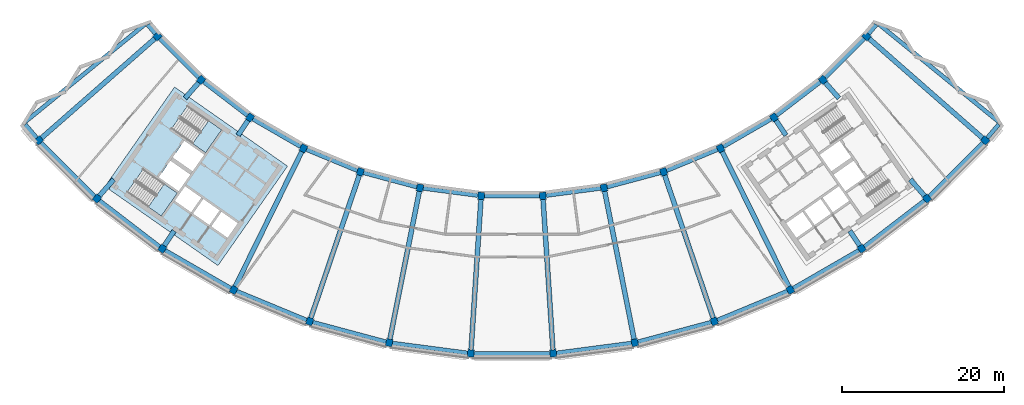
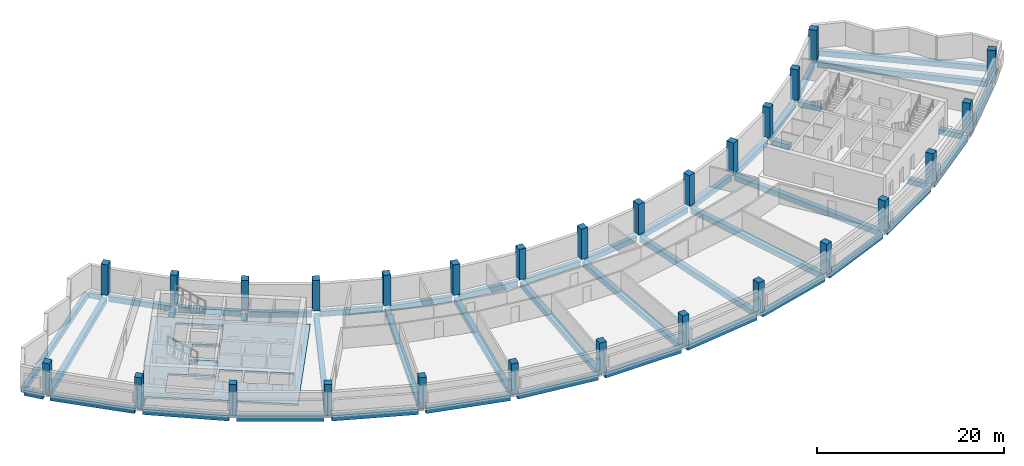
# One storey, part 1 of 12: 50 beams, 28 columns, 3 slabs, 2 elements without a shape of their own.
"""IFC4 building model written with IfcOpenShell, lengths in metres."""

from ifc_helpers import new_model, si_unit, direction, frame, origin, origin_2d, place, context, subcontext, project, spatial, polyline, rectangle, outline, extrude, material, layer, layer_set, material_profile, profile_set, type_object, element, aggregate, save


model = new_model("IFC4")

# Units and contexts
model_context = context("Model", 3, precision=1e-05, world=origin(), true_north=direction((0.0, 1.0)))
body_context = subcontext(model_context, "Body", "Model", "MODEL_VIEW")
ifc_project = project(units=[si_unit("LENGTHUNIT", "METRE"), si_unit("AREAUNIT", "SQUARE_METRE"), si_unit("VOLUMEUNIT", "CUBIC_METRE"), si_unit("PLANEANGLEUNIT", "RADIAN"), si_unit("MASSUNIT", "GRAM", prefix="KILO")], contexts=[model_context])

# Site, building, storey
site_placement = place(None, origin())
site = spatial("IfcSite", under=ifc_project, at=site_placement, CompositionType="ELEMENT")
building_placement = place(site_placement, origin())
building = spatial("IfcBuilding", under=site, at=building_placement, Name="Qamariyya Broadcast Tower", CompositionType="ELEMENT")
storey_placement = place(building_placement, frame((0.0, 0.0, 290.699951171875)))
storey = spatial("IfcBuildingStorey", under=building, at=storey_placement, Name="L70", CompositionType="ELEMENT", Elevation=290.699951171875)

# Columns
ifc_material_1 = material(Name="Concrete C50/60", Category="concrete")
ifc_material_profile_1 = material_profile(ifc_material_1, rectangle(XDim=0.800048828125, YDim=0.89990234375, at=origin_2d()))
ifc_profile_set_1 = profile_set([ifc_material_profile_1], Name="Concrete C50/60")
column_type = type_object("IfcColumnType", Name="RC column 800 x 900 C50/60", PredefinedType="COLUMN", material=ifc_profile_set_1)
for number, where, z_axis, x_axis, name in (
    (1, (-43.794677734375, -38.406982421875, 0.0), (0.0, 0.0, 1.0), (0.6593458151, -0.751839807479, 0.0), "Column C13 L70 B-R04"),
    (2, (-58.45556640625, -51.26416015625, 0.0), (0.0, 0.0, 1.0), (0.6593458151, -0.751839807479, 0.0), "Column C13 L70 C-R04"),
    (3, (-38.406982421875, -43.794677734375, 0.0), (0.0, 0.0, 1.0), (0.751839807479, -0.6593458151, 0.0), "Column C13 L70 B-R05"),
    (4, (-51.26416015625, -58.45556640625, 0.0), (0.0, 0.0, 1.0), (0.751839807479, -0.6593458151, 0.0), "Column C13 L70 C-R05"),
    (5, (-32.362060546875, -48.43310546875, 0.0), (0.0, 0.0, 1.0), (0.831469612303, -0.55557023302, 0.0), "Column C13 L70 B-R06"),
    (6, (-43.195556640625, -64.646728515625, 0.0), (0.0, 0.0, 1.0), (0.831469612303, -0.55557023302, 0.0), "Column C13 L70 C-R06"),
    (7, (-25.763427734375, -52.242919921875, 0.0), (0.0, 0.0, 1.0), (0.896872741533, -0.442288690219, 0.0), "Column C13 L70 B-R07"),
    (8, (-34.387939453125, -69.73193359375, 0.0), (0.0, 0.0, 1.0), (0.896872741533, -0.442288690219, 0.0), "Column C13 L70 C-R07"),
    (9, (-18.723876953125, -55.15869140625, 0.0), (0.0, 0.0, 1.0), (0.946930129495, -0.321439465303, 0.0), "Column C13 L70 B-R08"),
    (10, (-24.991943359375, -73.623779296875, 0.0), (0.0, 0.0, 1.0), (0.946930129495, -0.321439465303, 0.0), "Column C13 L70 C-R08"),
    (11, (-11.364013671875, -57.130859375, 0.0), (0.0, 0.0, 1.0), (0.980785280403, -0.195090322016, 0.0), "Column C13 L70 B-R09"),
    (12, (-15.168212890625, -76.256103515625, 0.0), (0.0, 0.0, 1.0), (0.980785280403, -0.195090322016, 0.0), "Column C13 L70 C-R09"),
    (13, (-3.809814453125, -58.125244140625, 0.0), (0.0, 0.0, 1.0), (0.997858923239, -0.06540312923, 0.0), "Column C13 L70 B-R10"),
    (14, (-5.085205078125, -77.58349609375, 0.0), (0.0, 0.0, 1.0), (0.997858923239, -0.06540312923, 0.0), "Column C13 L70 C-R10"),
    (15, (3.809814453125, -58.125244140625, 0.0), (0.0, 0.0, 1.0), (0.997858923239, 0.06540312923, 0.0), "Column C13 L70 B-R11"),
    (16, (5.085205078125, -77.58349609375, 0.0), (0.0, 0.0, 1.0), (0.997858923239, 0.06540312923, 0.0), "Column C13 L70 C-R11"),
    (17, (11.364013671875, -57.130859375, 0.0), (0.0, 0.0, 1.0), (0.980785280403, 0.195090322016, 0.0), "Column C13 L70 B-R12"),
    (18, (15.168212890625, -76.256103515625, 0.0), (0.0, 0.0, 1.0), (0.980785280403, 0.195090322016, 0.0), "Column C13 L70 C-R12"),
    (19, (18.723876953125, -55.15869140625, 0.0), (0.0, 0.0, 1.0), (0.946930129495, 0.321439465303, 0.0), "Column C13 L70 B-R13"),
    (20, (24.991943359375, -73.623779296875, 0.0), (0.0, 0.0, 1.0), (0.946930129495, 0.321439465303, 0.0), "Column C13 L70 C-R13"),
    (21, (25.763427734375, -52.242919921875, 0.0), (0.0, 0.0, 1.0), (0.896872741533, 0.442288690219, 0.0), "Column C13 L70 B-R14"),
    (22, (34.387939453125, -69.73193359375, 0.0), (0.0, 0.0, 1.0), (0.896872741533, 0.442288690219, 0.0), "Column C13 L70 C-R14"),
    (23, (32.362060546875, -48.43310546875, 0.0), (0.0, 0.0, 1.0), (0.831469612303, 0.55557023302, 0.0), "Column C13 L70 B-R15"),
    (24, (43.195556640625, -64.646728515625, 0.0), (0.0, 0.0, 1.0), (0.831469612303, 0.55557023302, 0.0), "Column C13 L70 C-R15"),
    (25, (38.406982421875, -43.794677734375, 0.0), (0.0, 0.0, 1.0), (0.751839807479, 0.6593458151, 0.0), "Column C13 L70 B-R16"),
    (26, (51.26416015625, -58.45556640625, 0.0), (0.0, 0.0, 1.0), (0.751839807479, 0.6593458151, 0.0), "Column C13 L70 C-R16"),
    (27, (43.794677734375, -38.406982421875, 0.0), (0.0, 0.0, 1.0), (0.6593458151, 0.751839807479, 0.0), "Column C13 L70 B-R17"),
    (28, (58.45556640625, -51.26416015625, 0.0), (0.0, 0.0, 1.0), (0.6593458151, 0.751839807479, 0.0), "Column C13 L70 C-R17"),
):
    element("IfcColumn", number, at=place(storey_placement, frame(where, z_axis=z_axis, x_axis=x_axis)), inside=storey, type_object=column_type, Name=name, PredefinedType="COLUMN", context=body_context, shape_type="SweptSolid", body=[
        extrude(rectangle(XDim=0.800048828125, YDim=0.89990234375, at=origin_2d()), origin(), (0.0, 0.0, 1.0), 4.0),
    ])

# Beams
ifc_material_2 = material(Name="Concrete C40/50", Category="concrete")
ifc_material_profile_2 = material_profile(ifc_material_2, rectangle(XDim=0.5, YDim=0.699951171875, at=origin_2d()))
ifc_profile_set_2 = profile_set([ifc_material_profile_2], Name="Concrete C40/50")
beam_type_1 = type_object("IfcBeamType", Name="RC edge beam 500 x 700 C40/50", PredefinedType="SPANDREL", material=ifc_profile_set_2)
beam_1_placement = place(storey_placement, frame((-43.51123046875, -38.6904296875, -0.599853515625), z_axis=(0.707106781187, -0.707106781187, 0.0), x_axis=(0.707106781187, 0.707106781187, 0.0)))
element("IfcBeam", 29, at=beam_1_placement, inside=storey, type_object=beam_type_1, Name="Edge beam B32 L70 B R04-R05", PredefinedType="SPANDREL", context=body_context, shape_type="SweptSolid", body=[
    extrude(rectangle(XDim=0.5, YDim=0.699951171875, at=origin_2d()), origin(), (0.0, 0.0, 1.0), 6.817626953125),
])
for number, where, z_axis, x_axis, name in (
    (30, (-38.0888671875, -44.03857421875, -0.599853515625), (0.793355578527, -0.608758512072, 0.0), (0.608758512072, 0.793355578527, 0.0), "Edge beam B32 L70 B R05-R06"),
    (31, (-32.014892578125, -48.633544921875, -0.599853515625), (0.866028756998, -0.499994192018, 0.0), (0.499994192018, 0.866028756998, 0.0), "Edge beam B32 L70 B R06-R07"),
    (32, (-25.39306640625, -52.396240234375, -0.599853515625), (0.923875859791, -0.382692298976, 0.0), (0.382692298976, 0.923875859791, 0.0), "Edge beam B32 L70 B R07-R08"),
    (33, (-18.336669921875, -55.262451171875, -0.599853515625), (0.965922796001, -0.258830354026, 0.0), (0.258830354026, 0.965922796001, 0.0), "Edge beam B32 L70 B R08-R09"),
):
    element("IfcBeam", number, at=place(storey_placement, frame(where, z_axis=z_axis, x_axis=x_axis)), inside=storey, type_object=beam_type_1, Name=name, PredefinedType="SPANDREL", context=body_context, shape_type="SweptSolid", body=[
        extrude(rectangle(XDim=0.5, YDim=0.699951171875, at=origin_2d()), origin(), (0.0, 0.0, 1.0), 6.81787109375),
    ])
beam_2_placement = place(storey_placement, frame((-10.966552734375, -57.18310546875, -0.599853515625), z_axis=(0.991444541835, -0.130528619338, 0.0), x_axis=(0.130528619338, 0.991444541835, 0.0)))
element("IfcBeam", 34, at=beam_2_placement, inside=storey, type_object=beam_type_1, Name="Edge beam B32 L70 B R09-R10", PredefinedType="SPANDREL", context=body_context, shape_type="SweptSolid", body=[
    extrude(rectangle(XDim=0.5, YDim=0.699951171875, at=origin_2d()), origin(), (0.0, 0.0, 1.0), 6.817626953125),
])
beam_3_placement = place(storey_placement, frame((-3.408935546875, -58.125244140625, -0.599853515625), z_axis=(1.0, 0.0, 0.0), x_axis=(0.0, 1.0, 0.0)))
element("IfcBeam", 35, at=beam_3_placement, inside=storey, type_object=beam_type_1, Name="Edge beam B32 L70 B R10-R11", PredefinedType="SPANDREL", context=body_context, shape_type="SweptSolid", body=[
    extrude(rectangle(XDim=0.5, YDim=0.699951171875, at=origin_2d()), origin(), (0.0, 0.0, 1.0), 6.81787109375),
])
beam_4_placement = place(storey_placement, frame((4.207275390625, -58.072998046875, -0.599853515625), z_axis=(0.991444541835, 0.130528619338, 0.0), x_axis=(-0.130528619338, 0.991444541835, 0.0)))
element("IfcBeam", 36, at=beam_4_placement, inside=storey, type_object=beam_type_1, Name="Edge beam B32 L70 B R11-R12", PredefinedType="SPANDREL", context=body_context, shape_type="SweptSolid", body=[
    extrude(rectangle(XDim=0.5, YDim=0.699951171875, at=origin_2d()), origin(), (0.0, 0.0, 1.0), 6.817626953125),
])
for number, where, z_axis, x_axis, name in (
    (37, (11.751220703125, -57.027099609375, -0.599853515625), (0.965922796001, 0.258830354026, 0.0), (-0.258830354026, 0.965922796001, 0.0), "Edge beam B32 L70 B R12-R13"),
    (38, (19.09423828125, -55.00537109375, -0.599853515625), (0.923875859791, 0.382692298976, 0.0), (-0.382692298976, 0.923875859791, 0.0), "Edge beam B32 L70 B R13-R14"),
    (39, (26.1103515625, -52.04248046875, -0.599853515625), (0.866028756998, 0.499994192018, 0.0), (-0.499994192018, 0.866028756998, 0.0), "Edge beam B32 L70 B R14-R15"),
    (40, (32.679931640625, -48.18896484375, -0.599853515625), (0.793355578527, 0.608758512072, 0.0), (-0.608758512072, 0.793355578527, 0.0), "Edge beam B32 L70 B R15-R16"),
):
    element("IfcBeam", number, at=place(storey_placement, frame(where, z_axis=z_axis, x_axis=x_axis)), inside=storey, type_object=beam_type_1, Name=name, PredefinedType="SPANDREL", context=body_context, shape_type="SweptSolid", body=[
        extrude(rectangle(XDim=0.5, YDim=0.699951171875, at=origin_2d()), origin(), (0.0, 0.0, 1.0), 6.81787109375),
    ])
beam_5_placement = place(storey_placement, frame((38.6904296875, -43.51123046875, -0.599853515625), z_axis=(0.707106781187, 0.707106781187, 0.0), x_axis=(-0.707106781187, 0.707106781187, 0.0)))
element("IfcBeam", 41, at=beam_5_placement, inside=storey, type_object=beam_type_1, Name="Edge beam B32 L70 B R16-R17", PredefinedType="SPANDREL", context=body_context, shape_type="SweptSolid", body=[
    extrude(rectangle(XDim=0.5, YDim=0.699951171875, at=origin_2d()), origin(), (0.0, 0.0, 1.0), 6.817626953125),
])
for number, where, z_axis, x_axis, name in (
    (42, (-58.172119140625, -51.547607421875, -0.599853515625), (0.707106781187, -0.707106781187, 0.0), (0.707106781187, 0.707106781187, 0.0), "Edge beam B32 L70 C R04-R05"),
    (43, (-50.946044921875, -58.699462890625, -0.599853515625), (0.793337425087, -0.608782169545, 0.0), (0.608782169545, 0.793337425087, 0.0), "Edge beam B32 L70 C R05-R06"),
    (44, (-42.848388671875, -64.84716796875, -0.599853515625), (0.866019808396, -0.500009691372, 0.0), (0.500009691372, 0.866019808396, 0.0), "Edge beam B32 L70 C R06-R07"),
    (45, (-34.017578125, -69.88525390625, -0.599853515625), (0.923876761165, -0.382690122919, 0.0), (0.382690122919, 0.923876761165, 0.0), "Edge beam B32 L70 C R07-R08"),
):
    element("IfcBeam", number, at=place(storey_placement, frame(where, z_axis=z_axis, x_axis=x_axis)), inside=storey, type_object=beam_type_1, Name=name, PredefinedType="SPANDREL", context=body_context, shape_type="SweptSolid", body=[
        extrude(rectangle(XDim=0.5, YDim=0.699951171875, at=origin_2d()), origin(), (0.0, 0.0, 1.0), 9.368408203125),
    ])
beam_6_placement = place(storey_placement, frame((-24.604736328125, -73.7275390625, -0.599853515625), z_axis=(0.965924554352, -0.258823791988, 0.0), x_axis=(0.258823791988, 0.965924554352, 0.0)))
element("IfcBeam", 46, at=beam_6_placement, inside=storey, type_object=beam_type_1, Name="Edge beam B32 L70 C R08-R09", PredefinedType="SPANDREL", context=body_context, shape_type="SweptSolid", body=[
    extrude(rectangle(XDim=0.5, YDim=0.699951171875, at=origin_2d()), origin(), (0.0, 0.0, 1.0), 9.36865234375),
])
beam_7_placement = place(storey_placement, frame((-14.770751953125, -76.308349609375, -0.599853515625), z_axis=(0.991443914621, -0.130533383318, 0.0), x_axis=(0.130533383318, 0.991443914621, 0.0)))
element("IfcBeam", 47, at=beam_7_placement, inside=storey, type_object=beam_type_1, Name="Edge beam B32 L70 C R09-R10", PredefinedType="SPANDREL", context=body_context, shape_type="SweptSolid", body=[
    extrude(rectangle(XDim=0.5, YDim=0.699951171875, at=origin_2d()), origin(), (0.0, 0.0, 1.0), 9.368408203125),
])
beam_8_placement = place(storey_placement, frame((-4.684326171875, -77.58349609375, -0.599853515625), z_axis=(1.0, 0.0, 0.0), x_axis=(0.0, 1.0, 0.0)))
element("IfcBeam", 48, at=beam_8_placement, inside=storey, type_object=beam_type_1, Name="Edge beam B32 L70 C R10-R11", PredefinedType="SPANDREL", context=body_context, shape_type="SweptSolid", body=[
    extrude(rectangle(XDim=0.5, YDim=0.699951171875, at=origin_2d()), origin(), (0.0, 0.0, 1.0), 9.36865234375),
])
beam_9_placement = place(storey_placement, frame((5.482421875, -77.53125, -0.599853515625), z_axis=(0.991443914621, 0.130533383318, 0.0), x_axis=(-0.130533383318, 0.991443914621, 0.0)))
element("IfcBeam", 49, at=beam_9_placement, inside=storey, type_object=beam_type_1, Name="Edge beam B32 L70 C R11-R12", PredefinedType="SPANDREL", context=body_context, shape_type="SweptSolid", body=[
    extrude(rectangle(XDim=0.5, YDim=0.699951171875, at=origin_2d()), origin(), (0.0, 0.0, 1.0), 9.368408203125),
])
beam_10_placement = place(storey_placement, frame((15.555419921875, -76.15234375, -0.599853515625), z_axis=(0.965924554352, 0.258823791988, 0.0), x_axis=(-0.258823791988, 0.965924554352, 0.0)))
element("IfcBeam", 50, at=beam_10_placement, inside=storey, type_object=beam_type_1, Name="Edge beam B32 L70 C R12-R13", PredefinedType="SPANDREL", context=body_context, shape_type="SweptSolid", body=[
    extrude(rectangle(XDim=0.5, YDim=0.699951171875, at=origin_2d()), origin(), (0.0, 0.0, 1.0), 9.36865234375),
])
for number, where, z_axis, x_axis, name in (
    (51, (25.3623046875, -73.470458984375, -0.599853515625), (0.923876761165, 0.382690122919, 0.0), (-0.382690122919, 0.923876761165, 0.0), "Edge beam B32 L70 C R13-R14"),
    (52, (34.735107421875, -69.531494140625, -0.599853515625), (0.866019808396, 0.500009691372, 0.0), (-0.500009691372, 0.866019808396, 0.0), "Edge beam B32 L70 C R14-R15"),
    (53, (43.513671875, -64.40283203125, -0.599853515625), (0.793337425087, 0.608782169545, 0.0), (-0.608782169545, 0.793337425087, 0.0), "Edge beam B32 L70 C R15-R16"),
    (54, (51.547607421875, -58.172119140625, -0.599853515625), (0.707106781187, 0.707106781187, 0.0), (-0.707106781187, 0.707106781187, 0.0), "Edge beam B32 L70 C R16-R17"),
):
    element("IfcBeam", number, at=place(storey_placement, frame(where, z_axis=z_axis, x_axis=x_axis)), inside=storey, type_object=beam_type_1, Name=name, PredefinedType="SPANDREL", context=body_context, shape_type="SweptSolid", body=[
        extrude(rectangle(XDim=0.5, YDim=0.699951171875, at=origin_2d()), origin(), (0.0, 0.0, 1.0), 9.368408203125),
    ])
ifc_material_profile_3 = material_profile(ifc_material_2, rectangle(XDim=0.5, YDim=0.699951171875, at=origin_2d()))
ifc_profile_set_3 = profile_set([ifc_material_profile_3], Name="Concrete C40/50")
beam_type_2 = type_object("IfcBeamType", Name="RC horn beam 500 x 700 C40/50", PredefinedType="BEAM", material=ifc_profile_set_3)
beam_11_placement = place(storey_placement, frame((-44.052978515625, -38.101318359375, -0.599853515625), z_axis=(-0.645562267298, 0.763707639769, 0.0), x_axis=(-0.763707639769, -0.645562267298, 0.0)))
element("IfcBeam", 55, at=beam_11_placement, inside=storey, type_object=beam_type_2, Name="Horn beam B33 L70 W B-R04", PredefinedType="BEAM", context=body_context, shape_type="SweptSolid", body=[
    extrude(rectangle(XDim=0.5, YDim=0.699951171875, at=origin_2d()), origin(), (0.0, 0.0, 1.0), 1.46923828125),
])
beam_12_placement = place(storey_placement, frame((-58.7138671875, -50.95849609375, -0.599853515625), z_axis=(-0.645580484074, 0.763692240751, 0.0), x_axis=(-0.763692240751, -0.645580484074, 0.0)))
element("IfcBeam", 56, at=beam_12_placement, inside=storey, type_object=beam_type_2, Name="Horn beam B33 L70 W C-R04", PredefinedType="BEAM", context=body_context, shape_type="SweptSolid", body=[
    extrude(rectangle(XDim=0.5, YDim=0.699951171875, at=origin_2d()), origin(), (0.0, 0.0, 1.0), 2.1787109375),
])
beam_13_placement = place(storey_placement, frame((44.052978515625, -38.101318359375, -0.599853515625), z_axis=(0.645562267298, 0.763707639769, 0.0), x_axis=(-0.763707639769, 0.645562267298, 0.0)))
element("IfcBeam", 57, at=beam_13_placement, inside=storey, type_object=beam_type_2, Name="Horn beam B33 L70 E B-R17", PredefinedType="BEAM", context=body_context, shape_type="SweptSolid", body=[
    extrude(rectangle(XDim=0.5, YDim=0.699951171875, at=origin_2d()), origin(), (0.0, 0.0, 1.0), 1.46923828125),
])
beam_14_placement = place(storey_placement, frame((58.7138671875, -50.95849609375, -0.599853515625), z_axis=(0.645580484074, 0.763692240751, 0.0), x_axis=(-0.763692240751, 0.645580484074, 0.0)))
element("IfcBeam", 58, at=beam_14_placement, inside=storey, type_object=beam_type_2, Name="Horn beam B33 L70 E C-R17", PredefinedType="BEAM", context=body_context, shape_type="SweptSolid", body=[
    extrude(rectangle(XDim=0.5, YDim=0.699951171875, at=origin_2d()), origin(), (0.0, 0.0, 1.0), 2.1787109375),
])
ifc_material_profile_4 = material_profile(ifc_material_2, rectangle(XDim=0.5, YDim=0.699951171875, at=origin_2d()))
ifc_profile_set_4 = profile_set([ifc_material_profile_4], Name="Concrete C40/50")
beam_type_3 = type_object("IfcBeamType", Name="RC horn cap beam 500 x 700 C40/50", PredefinedType="BEAM", material=ifc_profile_set_4)
for number, where, z_axis, x_axis, name in (
    (59, (-45.356689453125, -36.9462890625, -0.599853515625), (-0.775330061416, -0.631556249169, 0.0), (0.631556249169, -0.775330061416, 0.0), "Horn cap beam B21 L70 W B-C"),
    (60, (45.356689453125, -36.9462890625, -0.599853515625), (0.775330061416, -0.631556249169, 0.0), (0.631556249169, 0.775330061416, 0.0), "Horn cap beam B21 L70 E B-C"),
):
    element("IfcBeam", number, at=place(storey_placement, frame(where, z_axis=z_axis, x_axis=x_axis)), inside=storey, type_object=beam_type_3, Name=name, PredefinedType="BEAM", context=body_context, shape_type="SweptSolid", body=[
        extrude(rectangle(XDim=0.5, YDim=0.699951171875, at=origin_2d()), origin(), (0.0, 0.0, 1.0), 19.0),
    ])
ifc_material_profile_5 = material_profile(ifc_material_2, rectangle(XDim=0.60009765625, YDim=0.699951171875, at=origin_2d()))
ifc_profile_set_5 = profile_set([ifc_material_profile_5], Name="Concrete C40/50")
beam_type_4 = type_object("IfcBeamType", Name="RC radial beam 600 x 700 C40/50", PredefinedType="BEAM", material=ifc_profile_set_5)
beam_15_placement = place(storey_placement, frame((-44.133056640625, -38.70361328125, -0.599853515625), z_axis=(-0.751835479309, -0.659350750399, 0.0), x_axis=(0.659350750399, -0.751835479309, 0.0)))
element("IfcBeam", 61, at=beam_15_placement, inside=storey, type_object=beam_type_4, Name="Radial beam B31 L70 R04 B-C", PredefinedType="BEAM", context=body_context, shape_type="SweptSolid", body=[
    extrude(rectangle(XDim=0.60009765625, YDim=0.699951171875, at=origin_2d()), origin(), (0.0, 0.0, 1.0), 18.60009765625),
])
beam_16_placement = place(storey_placement, frame((-38.70361328125, -44.133056640625, -0.599853515625), z_axis=(-0.65936701245, -0.751821217373, 0.0), x_axis=(0.751821217373, -0.65936701245, 0.0)))
element("IfcBeam", 62, at=beam_16_placement, inside=storey, type_object=beam_type_4, Name="Radial beam B31 L70 R05 B-C", PredefinedType="BEAM", context=body_context, shape_type="SweptSolid", body=[
    extrude(rectangle(XDim=0.60009765625, YDim=0.699951171875, at=origin_2d()), origin(), (0.0, 0.0, 1.0), 2.56396484375),
])
beam_17_placement = place(storey_placement, frame((-49.1943359375, -56.095458984375, -0.599853515625), z_axis=(-0.659384708976, -0.751805696686, 0.0), x_axis=(0.751805696686, -0.659384708976, 0.0)))
element("IfcBeam", 63, at=beam_17_placement, inside=storey, type_object=beam_type_4, Name="Radial beam B31 L70 R05 B-C", PredefinedType="BEAM", context=body_context, shape_type="SweptSolid", body=[
    extrude(rectangle(XDim=0.60009765625, YDim=0.699951171875, at=origin_2d()), origin(), (0.0, 0.0, 1.0), 2.689208984375),
])
beam_18_placement = place(storey_placement, frame((-32.612060546875, -48.807373046875, -0.599853515625), z_axis=(-0.555590424473, -0.83145612045, 0.0), x_axis=(0.83145612045, -0.555590424473, 0.0)))
element("IfcBeam", 64, at=beam_18_placement, inside=storey, type_object=beam_type_4, Name="Radial beam B31 L70 R06 B-C", PredefinedType="BEAM", context=body_context, shape_type="SweptSolid", body=[
    extrude(rectangle(XDim=0.60009765625, YDim=0.699951171875, at=origin_2d()), origin(), (0.0, 0.0, 1.0), 2.21435546875),
])
beam_19_placement = place(storey_placement, frame((-41.733154296875, -62.458251953125, -0.599853515625), z_axis=(-0.555577686168, -0.83146463222, 0.0), x_axis=(0.83146463222, -0.555577686168, 0.0)))
element("IfcBeam", 65, at=beam_19_placement, inside=storey, type_object=beam_type_4, Name="Radial beam B31 L70 R06 B-C", PredefinedType="BEAM", context=body_context, shape_type="SweptSolid", body=[
    extrude(rectangle(XDim=0.60009765625, YDim=0.699951171875, at=origin_2d()), origin(), (0.0, 0.0, 1.0), 2.18212890625),
])
for number, where, z_axis, x_axis, name in (
    (66, (-25.96240234375, -52.646484375, -0.599853515625), (-0.442287277377, -0.896873438268, 0.0), (0.896873438268, -0.442287277377, 0.0), "Radial beam B31 L70 R07 B-C"),
    (67, (-18.868408203125, -55.584716796875, -0.599853515625), (-0.321436539423, -0.946931122692, 0.0), (0.946931122692, -0.321436539423, 0.0), "Radial beam B31 L70 R08 B-C"),
    (68, (-11.451904296875, -57.572021484375, -0.599853515625), (-0.195088681676, -0.980785606686, 0.0), (0.980785606686, -0.195088681676, 0.0), "Radial beam B31 L70 R09 B-C"),
    (69, (-3.839111328125, -58.57421875, -0.599853515625), (-0.065405603651, -0.997858761053, 0.0), (0.997858761053, -0.065405603651, 0.0), "Radial beam B31 L70 R10 B-C"),
    (70, (3.839111328125, -58.57421875, -0.599853515625), (0.065405603651, -0.997858761053, 0.0), (0.997858761053, 0.065405603651, 0.0), "Radial beam B31 L70 R11 B-C"),
    (71, (11.451904296875, -57.572021484375, -0.599853515625), (0.195088681676, -0.980785606686, 0.0), (0.980785606686, 0.195088681676, 0.0), "Radial beam B31 L70 R12 B-C"),
    (72, (18.868408203125, -55.584716796875, -0.599853515625), (0.321436539423, -0.946931122692, 0.0), (0.946931122692, 0.321436539423, 0.0), "Radial beam B31 L70 R13 B-C"),
    (73, (25.96240234375, -52.646484375, -0.599853515625), (0.442287277377, -0.896873438268, 0.0), (0.896873438268, 0.442287277377, 0.0), "Radial beam B31 L70 R14 B-C"),
):
    element("IfcBeam", number, at=place(storey_placement, frame(where, z_axis=z_axis, x_axis=x_axis)), inside=storey, type_object=beam_type_4, Name=name, PredefinedType="BEAM", context=body_context, shape_type="SweptSolid", body=[
        extrude(rectangle(XDim=0.60009765625, YDim=0.699951171875, at=origin_2d()), origin(), (0.0, 0.0, 1.0), 18.60009765625),
    ])
beam_20_placement = place(storey_placement, frame((32.612060546875, -48.807373046875, -0.599853515625), z_axis=(0.555590424473, -0.83145612045, 0.0), x_axis=(0.83145612045, 0.555590424473, 0.0)))
element("IfcBeam", 74, at=beam_20_placement, inside=storey, type_object=beam_type_4, Name="Radial beam B31 L70 R15 B-C", PredefinedType="BEAM", context=body_context, shape_type="SweptSolid", body=[
    extrude(rectangle(XDim=0.60009765625, YDim=0.699951171875, at=origin_2d()), origin(), (0.0, 0.0, 1.0), 2.21435546875),
])
beam_21_placement = place(storey_placement, frame((41.733154296875, -62.458251953125, -0.599853515625), z_axis=(0.555577686168, -0.83146463222, 0.0), x_axis=(0.83146463222, 0.555577686168, 0.0)))
element("IfcBeam", 75, at=beam_21_placement, inside=storey, type_object=beam_type_4, Name="Radial beam B31 L70 R15 B-C", PredefinedType="BEAM", context=body_context, shape_type="SweptSolid", body=[
    extrude(rectangle(XDim=0.60009765625, YDim=0.699951171875, at=origin_2d()), origin(), (0.0, 0.0, 1.0), 2.18212890625),
])
beam_22_placement = place(storey_placement, frame((38.70361328125, -44.133056640625, -0.599853515625), z_axis=(0.65936701245, -0.751821217373, 0.0), x_axis=(0.751821217373, 0.65936701245, 0.0)))
element("IfcBeam", 76, at=beam_22_placement, inside=storey, type_object=beam_type_4, Name="Radial beam B31 L70 R16 B-C", PredefinedType="BEAM", context=body_context, shape_type="SweptSolid", body=[
    extrude(rectangle(XDim=0.60009765625, YDim=0.699951171875, at=origin_2d()), origin(), (0.0, 0.0, 1.0), 2.56396484375),
])
beam_23_placement = place(storey_placement, frame((49.1943359375, -56.095458984375, -0.599853515625), z_axis=(0.659384708976, -0.751805696686, 0.0), x_axis=(0.751805696686, 0.659384708976, 0.0)))
element("IfcBeam", 77, at=beam_23_placement, inside=storey, type_object=beam_type_4, Name="Radial beam B31 L70 R16 B-C", PredefinedType="BEAM", context=body_context, shape_type="SweptSolid", body=[
    extrude(rectangle(XDim=0.60009765625, YDim=0.699951171875, at=origin_2d()), origin(), (0.0, 0.0, 1.0), 2.689208984375),
])
beam_24_placement = place(storey_placement, frame((44.133056640625, -38.70361328125, -0.599853515625), z_axis=(0.751835479309, -0.659350750399, 0.0), x_axis=(0.659350750399, 0.751835479309, 0.0)))
element("IfcBeam", 78, at=beam_24_placement, inside=storey, type_object=beam_type_4, Name="Radial beam B31 L70 R17 B-C", PredefinedType="BEAM", context=body_context, shape_type="SweptSolid", body=[
    extrude(rectangle(XDim=0.60009765625, YDim=0.699951171875, at=origin_2d()), origin(), (0.0, 0.0, 1.0), 18.60009765625),
])

# Slab
ifc_layer_1 = layer(ifc_material_2, 0.25)
ifc_layer_set_1 = layer_set([ifc_layer_1], Name="Core floor slab 250 mm Concrete C40/50")
slab_type_1 = type_object("IfcSlabType", Name="Core floor slab 250 mm Concrete C40/50", PredefinedType="FLOOR", material=ifc_layer_set_1)
slab_1_placement = place(storey_placement, frame((0.0, 0.0, -0.25)))
element("IfcSlab", 79, at=slab_1_placement, inside=storey, type_object=slab_type_1, Name="k-W-L70-slab", PredefinedType="FLOOR", context=body_context, shape_type="SweptSolid", body=[
    extrude(outline(polyline([(-50.286376953125, -56.95751953125), (-36.32373046875, -66.734375), (-27.719970703125, -54.447021484375), (-41.6826171875, -44.67041015625), (-50.286376953125, -56.95751953125)]), holes=[polyline([(-33.87353515625, -61.49169921875), (-35.88037109375, -60.08642578125), (-37.142333984375, -61.888427734375), (-35.13525390625, -63.293701171875), (-33.87353515625, -61.49169921875)]), polyline([(-36.126220703125, -59.914306640625), (-38.133056640625, -58.509033203125), (-39.394775390625, -60.311279296875), (-37.387939453125, -61.716552734375), (-36.126220703125, -59.914306640625)]), polyline([(-38.378662109375, -58.3369140625), (-40.3857421875, -56.931640625), (-41.6474609375, -58.73388671875), (-39.640625, -60.13916015625), (-38.378662109375, -58.3369140625)]), polyline([(-39.742431640625, -55.489990234375), (-42.199951171875, -53.769287109375), (-43.6337890625, -55.817138671875), (-41.17626953125, -57.537841796875), (-39.742431640625, -55.489990234375)]), polyline([(-39.45556640625, -55.080322265625), (-41.9130859375, -53.359619140625), (-40.47900390625, -51.311767578125), (-38.021728515625, -53.032470703125), (-39.45556640625, -55.080322265625)]), polyline([(-42.06103515625, -49.837890625), (-37.849609375, -52.78662109375), (-35.870849609375, -49.960693359375), (-40.082275390625, -47.01171875), (-42.06103515625, -49.837890625)]), polyline([(-47.538818359375, -57.66064453125), (-43.3271484375, -60.609619140625), (-41.348388671875, -57.783447265625), (-45.559814453125, -54.834716796875), (-47.538818359375, -57.66064453125)])]), origin(), (0.0, 0.0, 1.0), 0.25),
])

# Stair, slab
stair_type = type_object("IfcStairType", Name="Exit stair 24 risers of 167 mm", PredefinedType="HALF_TURN_STAIR", material=ifc_material_1)
stair_1_placement = place(storey_placement, origin())
stair_1 = element("IfcStair", 80, at=stair_1_placement, inside=storey, type_object=stair_type, Name="L70 Stair W2", PredefinedType="HALF_TURN_STAIR")
ifc_layer_2 = layer(ifc_material_1, 0.199951171875)
ifc_layer_set_2 = layer_set([ifc_layer_2], Name="Stair landing")
slab_type_2 = type_object("IfcSlabType", Name="Stair landing", PredefinedType="LANDING", material=ifc_layer_set_2)
slab_2_placement = place(storey_placement, frame((0.0, 0.0, 1.800048828125)))
slab_2 = element("IfcSlab", 81, at=slab_2_placement, type_object=slab_type_2, Name="ST-W2 landing 1", PredefinedType="LANDING", context=body_context, shape_type="SweptSolid", body=[
    extrude(outline(polyline([(-39.45458984375, -51.662841796875), (-37.849609375, -52.78662109375), (-35.870849609375, -49.960693359375), (-37.475830078125, -48.8369140625), (-39.45458984375, -51.662841796875)])), origin(), (0.0, 0.0, 1.0), 0.199951171875),
])
aggregate(stair_1, [slab_2])

stair_2_placement = place(storey_placement, origin())
stair_2 = element("IfcStair", 82, at=stair_2_placement, inside=storey, type_object=stair_type, Name="L70 Stair W1", PredefinedType="HALF_TURN_STAIR")
slab_3_placement = place(storey_placement, frame((0.0, 0.0, 1.800048828125)))
slab_3 = element("IfcSlab", 83, at=slab_3_placement, type_object=slab_type_2, Name="ST-W1 landing 1", PredefinedType="LANDING", context=body_context, shape_type="SweptSolid", body=[
    extrude(outline(polyline([(-44.93212890625, -59.48583984375), (-43.3271484375, -60.609619140625), (-41.348388671875, -57.783447265625), (-42.953369140625, -56.65966796875), (-44.93212890625, -59.48583984375)])), origin(), (0.0, 0.0, 1.0), 0.199951171875),
])
aggregate(stair_2, [slab_3])

save(model, "model.ifc")
